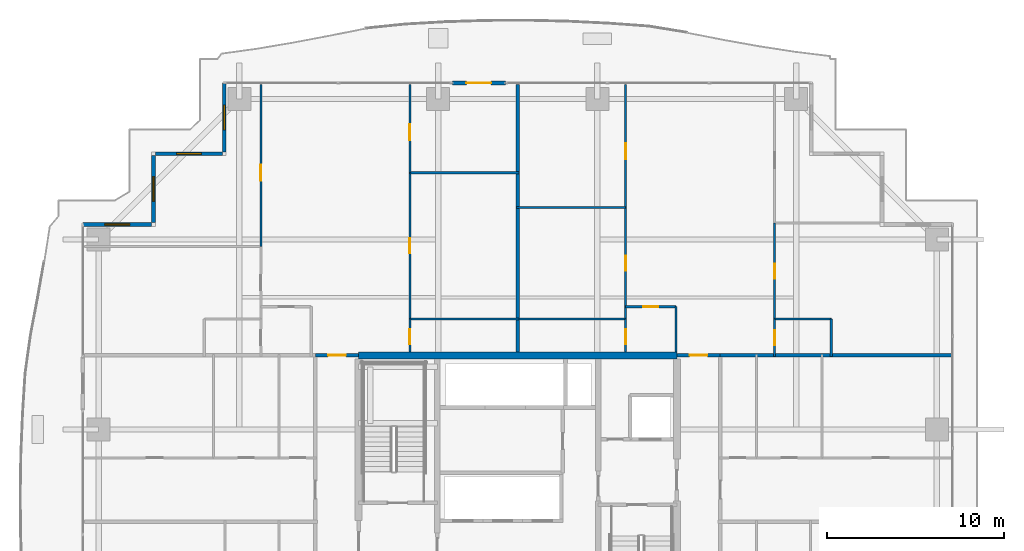
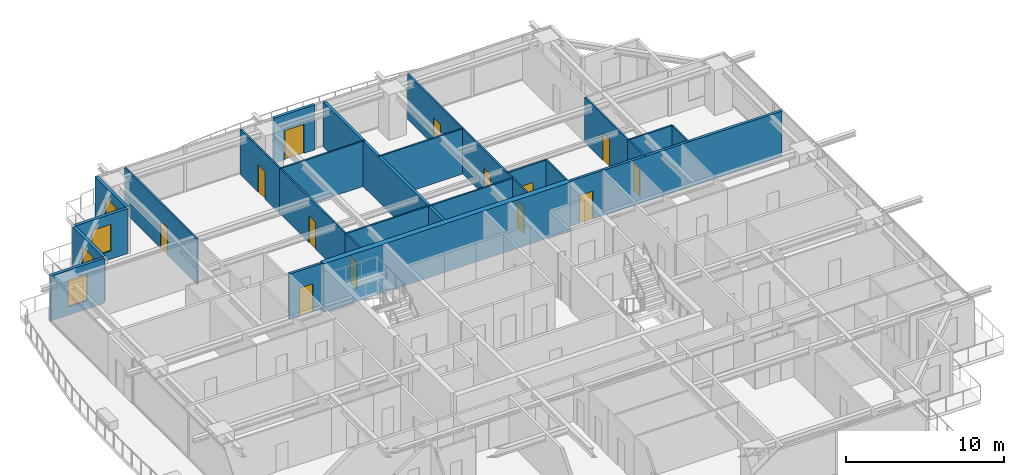
# One storey, part 30 of 37: 27 walls, 13 doors, 4 windows, 17 openings.
"""IFC4 building model written with IfcOpenShell, lengths in metres."""

from ifc_helpers import new_model, si_unit, direction, frame, frame_2d, origin, place, context, subcontext, project, spatial, rectangle, extrude, source, transform, mapped, material, layer, layer_set, type_object, element, fill, save


model = new_model("IFC4")

# Units and contexts
model_context = context("Model", 3, precision=1e-05, world=origin(), true_north=direction((0.0, 1.0)))
body_context = subcontext(model_context, "Body", "Model", "MODEL_VIEW")
ifc_project = project(units=[si_unit("LENGTHUNIT", "METRE"), si_unit("AREAUNIT", "SQUARE_METRE"), si_unit("VOLUMEUNIT", "CUBIC_METRE"), si_unit("PLANEANGLEUNIT", "RADIAN"), si_unit("MASSUNIT", "GRAM", prefix="KILO")], contexts=[model_context])

# Site, building, storey
site_placement = place(None, origin())
site = spatial("IfcSite", under=ifc_project, at=site_placement, CompositionType="ELEMENT")
building_placement = place(site_placement, origin())
building = spatial("IfcBuilding", under=site, at=building_placement, Name="Serunith Strait Residences", CompositionType="ELEMENT")
storey_placement = place(building_placement, frame((0.0, 0.0, 127.64990234375)))
storey = spatial("IfcBuildingStorey", under=building, at=storey_placement, Name="L31", CompositionType="ELEMENT", Elevation=127.64990234375)

# Wall, opening, door
ifc_material_1 = material(Name="Pale-Champagne Aluminium Insulated Panel", Category="aluminium")
ifc_layer_1 = layer(ifc_material_1, 0.219970703125, Name="Pale-Champagne Aluminium Insulated Panel")
ifc_layer_set_1 = layer_set([ifc_layer_1], Name="Pale-Champagne Aluminium Insulated Panel")
wall_type_1 = type_object("IfcWallType", Name="EW-ALUM-220", PredefinedType="ELEMENTEDWALL", material=ifc_layer_set_1)
wall_1_placement = place(storey_placement, frame((31.699951171875, 49.0, 0.0), z_axis=(0.0, 0.0, 1.0), x_axis=(-1.0, 0.0, 0.0)))
wall_1 = element("IfcWall", 1, at=wall_1_placement, inside=storey, type_object=wall_type_1, Name="L31 N Facade Pier Wall", PredefinedType="ELEMENTEDWALL", context=body_context, shape_type="SweptSolid", body=[
    extrude(rectangle(XDim=3.0, YDim=0.219970703125, at=frame_2d((1.5, 0.0))), origin(), (0.0, 0.0, 1.0), 3.47509765625),
])
opening_1_placement = place(wall_1_placement, frame((0.800048828125, 0.0, 0.0)))
opening_1 = element("IfcOpeningElement", 2, at=opening_1_placement, cuts=wall_1, Name="Opening ED-04", PredefinedType="OPENING", context=body_context, shape_type="SweptSolid", body=[
    extrude(rectangle(XDim=1.39990234375, YDim=2.25, at=frame_2d((0.699951171875, 1.125))), frame((0.0, 0.1201171875, 0.0), z_axis=(0.0, -1.0, 0.0), x_axis=(1.0, 0.0, 0.0)), (0.0, 0.0, 1.0), 0.239990234375),
])
ifc_material_2 = material(Name="Thermally-Broken Aluminium Sliding Balcony Door", Category="aluminium")
door_type_1 = type_object("IfcDoorType", Name="ED-BALC-1400", OperationType="NOTDEFINED", PredefinedType="DOOR", material=ifc_material_2)
shared_shape_1 = source(origin(), body_context, "Body", "SweptSolid", [
    extrude(rectangle(XDim=1.39990234375, YDim=2.25, at=frame_2d((0.699951171875, 1.125))), frame((0.0, 0.02490234375, 0.0), z_axis=(0.0, -1.0, 0.0), x_axis=(1.0, 0.0, 0.0)), (0.0, 0.0, 1.0), 0.050048828125),
])
door_1_placement = place(opening_1_placement, origin())
door_1 = element("IfcDoor", 3, at=door_1_placement, inside=storey, type_object=door_type_1, Name="L31 N Vertical-Forest Balcony Door", OperationType="SLIDING_TO_LEFT", OverallHeight=2.25, OverallWidth=1.39990234375, PredefinedType="DOOR", context=body_context, shape_type="MappedRepresentation", body=[
    mapped(shared_shape_1, transform((0.0, 0.0, 0.0), scale=1.0)),
])
fill(opening_1, door_1)

# Wall, opening, window
wall_2_placement = place(storey_placement, frame((15.800048828125, 49.0, 0.0), z_axis=(0.0, 0.0, 1.0), x_axis=(0.0, -1.0, 0.0)))
wall_2 = element("IfcWall", 4, at=wall_2_placement, inside=storey, type_object=wall_type_1, Name="L31 Girih Serrated Corner Wall 12", PredefinedType="ELEMENTEDWALL", context=body_context, shape_type="SweptSolid", body=[
    extrude(rectangle(XDim=3.889892578125, YDim=0.219970703125, at=frame_2d((1.94482421875, 0.0))), origin(), (0.0, 0.0, 1.0), 3.47509765625),
])
opening_2_placement = place(wall_2_placement, frame((1.2451171875, 0.0, 0.64990234375)))
opening_2 = element("IfcOpeningElement", 5, at=opening_2_placement, cuts=wall_2, Name="Opening W-03", PredefinedType="OPENING", context=body_context, shape_type="SweptSolid", body=[
    extrude(rectangle(XDim=1.39990234375, YDim=2.050048828125, at=frame_2d((0.699951171875, 1.02490234375))), frame((0.0, 0.1201171875, 0.0), z_axis=(0.0, -1.0, 0.0), x_axis=(1.0, 0.0, 0.0)), (0.0, 0.0, 1.0), 0.239990234375),
])
ifc_material_3 = material(Name="Ceramic-Fritted Operable Aluminium Window Glass", Category="aluminium")
window_type = type_object("IfcWindowType", Name="WIN-C3", PartitioningType="SINGLE_PANEL", PredefinedType="WINDOW", material=ifc_material_3)
shared_shape_2 = source(origin(), body_context, "Body", "SweptSolid", [
    extrude(rectangle(XDim=1.39990234375, YDim=2.050048828125, at=frame_2d((0.699951171875, 1.02490234375))), frame((0.0, 0.030029296875, 0.0), z_axis=(0.0, -1.0, 0.0), x_axis=(1.0, 0.0, 0.0)), (0.0, 0.0, 1.0), 0.06005859375),
])
window_1_placement = place(opening_2_placement, origin())
window_1 = element("IfcWindow", 6, at=window_1_placement, inside=storey, type_object=window_type, Name="L31 Corner Operable Fritted Window 12", OverallHeight=2.050048828125, OverallWidth=1.39990234375, PartitioningType="SINGLE_PANEL", PredefinedType="WINDOW", context=body_context, shape_type="MappedRepresentation", body=[
    mapped(shared_shape_2, transform((0.0, 0.0, 0.0), scale=1.0)),
])
fill(opening_2, window_1)

wall_3_placement = place(storey_placement, frame((15.68994140625, 45.0, 0.0), z_axis=(0.0, 0.0, 1.0), x_axis=(-1.0, 0.0, 0.0)))
wall_3 = element("IfcWall", 7, at=wall_3_placement, inside=storey, type_object=wall_type_1, Name="L31 Girih Serrated Corner Wall 13", PredefinedType="ELEMENTEDWALL", context=body_context, shape_type="SweptSolid", body=[
    extrude(rectangle(XDim=3.780029296875, YDim=0.219970703125, at=frame_2d((1.89013671875, 0.0))), origin(), (0.0, 0.0, 1.0), 3.47509765625),
])
opening_3_placement = place(wall_3_placement, frame((1.18994140625, 0.0, 0.64990234375)))
opening_3 = element("IfcOpeningElement", 8, at=opening_3_placement, cuts=wall_3, Name="Opening W-03", PredefinedType="OPENING", context=body_context, shape_type="SweptSolid", body=[
    extrude(rectangle(XDim=1.39990234375, YDim=2.050048828125, at=frame_2d((0.699951171875, 1.02490234375))), frame((0.0, 0.1201171875, 0.0), z_axis=(0.0, -1.0, 0.0), x_axis=(1.0, 0.0, 0.0)), (0.0, 0.0, 1.0), 0.239990234375),
])
window_2_placement = place(opening_3_placement, origin())
window_2 = element("IfcWindow", 9, at=window_2_placement, inside=storey, type_object=window_type, Name="L31 Corner Operable Fritted Window 13", OverallHeight=2.050048828125, OverallWidth=1.39990234375, PartitioningType="SINGLE_PANEL", PredefinedType="WINDOW", context=body_context, shape_type="MappedRepresentation", body=[
    mapped(shared_shape_2, transform((0.0, 0.0, 0.0), scale=1.0)),
])
fill(opening_3, window_2)

wall_4_placement = place(storey_placement, frame((11.800048828125, 44.889892578125, 0.0), z_axis=(0.0, 0.0, 1.0), x_axis=(0.0, -1.0, 0.0)))
wall_4 = element("IfcWall", 10, at=wall_4_placement, inside=storey, type_object=wall_type_1, Name="L31 Girih Serrated Corner Wall 14", PredefinedType="ELEMENTEDWALL", context=body_context, shape_type="SweptSolid", body=[
    extrude(rectangle(XDim=3.77978515625, YDim=0.219970703125, at=frame_2d((1.889892578125, 0.0))), origin(), (0.0, 0.0, 1.0), 3.47509765625),
])
opening_4_placement = place(wall_4_placement, frame((1.18994140625, 0.0, 0.64990234375)))
opening_4 = element("IfcOpeningElement", 11, at=opening_4_placement, cuts=wall_4, Name="Opening W-03", PredefinedType="OPENING", context=body_context, shape_type="SweptSolid", body=[
    extrude(rectangle(XDim=1.39990234375, YDim=2.050048828125, at=frame_2d((0.699951171875, 1.02490234375))), frame((0.0, 0.1201171875, 0.0), z_axis=(0.0, -1.0, 0.0), x_axis=(1.0, 0.0, 0.0)), (0.0, 0.0, 1.0), 0.239990234375),
])
window_3_placement = place(opening_4_placement, origin())
window_3 = element("IfcWindow", 12, at=window_3_placement, inside=storey, type_object=window_type, Name="L31 Corner Operable Fritted Window 14", OverallHeight=2.050048828125, OverallWidth=1.39990234375, PartitioningType="SINGLE_PANEL", PredefinedType="WINDOW", context=body_context, shape_type="MappedRepresentation", body=[
    mapped(shared_shape_2, transform((0.0, 0.0, 0.0), scale=1.0)),
])
fill(opening_4, window_3)

wall_5_placement = place(storey_placement, frame((11.68994140625, 41.0, 0.0), z_axis=(0.0, 0.0, 1.0), x_axis=(-1.0, 0.0, 0.0)))
wall_5 = element("IfcWall", 13, at=wall_5_placement, inside=storey, type_object=wall_type_1, Name="L31 Girih Serrated Corner Wall 15", PredefinedType="ELEMENTEDWALL", context=body_context, shape_type="SweptSolid", body=[
    extrude(rectangle(XDim=3.889892578125, YDim=0.219970703125, at=frame_2d((1.94482421875, 0.0))), origin(), (0.0, 0.0, 1.0), 3.47509765625),
])
opening_5_placement = place(wall_5_placement, frame((1.2451171875, 0.0, 0.64990234375)))
opening_5 = element("IfcOpeningElement", 14, at=opening_5_placement, cuts=wall_5, Name="Opening W-03", PredefinedType="OPENING", context=body_context, shape_type="SweptSolid", body=[
    extrude(rectangle(XDim=1.39990234375, YDim=2.050048828125, at=frame_2d((0.699951171875, 1.02490234375))), frame((0.0, 0.1201171875, 0.0), z_axis=(0.0, -1.0, 0.0), x_axis=(1.0, 0.0, 0.0)), (0.0, 0.0, 1.0), 0.239990234375),
])
window_4_placement = place(opening_5_placement, origin())
window_4 = element("IfcWindow", 15, at=window_4_placement, inside=storey, type_object=window_type, Name="L31 Corner Operable Fritted Window 15", OverallHeight=2.050048828125, OverallWidth=1.39990234375, PartitioningType="SINGLE_PANEL", PredefinedType="WINDOW", context=body_context, shape_type="MappedRepresentation", body=[
    mapped(shared_shape_2, transform((0.0, 0.0, 0.0), scale=1.0)),
])
fill(opening_5, window_4)

# Wall, opening, door
ifc_material_4 = material(Name="Fire-rated acoustic gypsum partition")
ifc_layer_2 = layer(ifc_material_4, 0.179931640625, Name="Fire-rated acoustic gypsum partition")
ifc_layer_set_2 = layer_set([ifc_layer_2], Name="Fire-rated acoustic gypsum partition")
wall_type_2 = type_object("IfcWallType", Name="IW-CORR-180", PredefinedType="PARTITIONING", material=ifc_layer_set_2)
wall_6_placement = place(storey_placement, frame((20.951904296875, 33.60009765625, 0.0), z_axis=(0.0, 0.0, 1.0), x_axis=(1.0, 0.0, 0.0)))
wall_6 = element("IfcWall", 16, at=wall_6_placement, inside=storey, type_object=wall_type_2, Name="L31 Partition Wall 027", PredefinedType="PARTITIONING", context=body_context, shape_type="SweptSolid", body=[
    extrude(rectangle(XDim=2.446044921875, YDim=0.179931640625, at=frame_2d((1.22314453125, 0.0))), origin(), (0.0, 0.0, 1.0), 3.489990234375),
])
opening_6_placement = place(wall_6_placement, frame((0.722900390625, 0.0, 0.0)))
opening_6 = element("IfcOpeningElement", 17, at=opening_6_placement, cuts=wall_6, Name="Opening D-APT1000", PredefinedType="OPENING", context=body_context, shape_type="SweptSolid", body=[
    extrude(rectangle(XDim=1.0, YDim=2.14990234375, at=frame_2d((0.5, 1.074951171875))), frame((0.0, 0.10009765625, 0.0), z_axis=(0.0, -1.0, 0.0), x_axis=(1.0, 0.0, 0.0)), (0.0, 0.0, 1.0), 0.199951171875),
])
ifc_material_5 = material(Name="Solid timber engineered fire door", Category="wood")
door_type_2 = type_object("IfcDoorType", Name="ID-APT-1000", OperationType="NOTDEFINED", PredefinedType="DOOR", material=ifc_material_5)
shared_shape_3 = source(origin(), body_context, "Body", "SweptSolid", [
    extrude(rectangle(XDim=1.0, YDim=2.14990234375, at=frame_2d((0.5, 1.074951171875))), frame((0.0, 0.02490234375, 0.0), z_axis=(0.0, -1.0, 0.0), x_axis=(1.0, 0.0, 0.0)), (0.0, 0.0, 1.0), 0.050048828125),
])
door_2_placement = place(opening_6_placement, origin())
door_2 = element("IfcDoor", 18, at=door_2_placement, inside=storey, type_object=door_type_2, Name="L31 Unit 04 Entrance Door", OperationType="SINGLE_SWING_LEFT", OverallHeight=2.14990234375, OverallWidth=1.0, PredefinedType="DOOR", context=body_context, shape_type="MappedRepresentation", body=[
    mapped(shared_shape_3, transform((0.0, 0.0, 0.0), scale=1.0)),
])
fill(opening_6, door_2)

wall_7_placement = place(storey_placement, frame((41.402099609375, 33.60009765625, 0.0), z_axis=(0.0, 0.0, 1.0), x_axis=(1.0, 0.0, 0.0)))
wall_7 = element("IfcWall", 19, at=wall_7_placement, inside=storey, type_object=wall_type_2, Name="L31 Partition Wall 028", PredefinedType="PARTITIONING", context=body_context, shape_type="SweptSolid", body=[
    extrude(rectangle(XDim=2.44580078125, YDim=0.179931640625, at=frame_2d((1.222900390625, 0.0))), origin(), (0.0, 0.0, 1.0), 3.489990234375),
])
opening_7_placement = place(wall_7_placement, frame((0.722900390625, 0.0, 0.0)))
opening_7 = element("IfcOpeningElement", 20, at=opening_7_placement, cuts=wall_7, Name="Opening D-APT1000", PredefinedType="OPENING", context=body_context, shape_type="SweptSolid", body=[
    extrude(rectangle(XDim=1.0, YDim=2.14990234375, at=frame_2d((0.5, 1.074951171875))), frame((0.0, 0.10009765625, 0.0), z_axis=(0.0, -1.0, 0.0), x_axis=(1.0, 0.0, 0.0)), (0.0, 0.0, 1.0), 0.199951171875),
])
door_3_placement = place(opening_7_placement, origin())
door_3 = element("IfcDoor", 21, at=door_3_placement, inside=storey, type_object=door_type_2, Name="L31 Unit 05 Entrance Door", OperationType="SINGLE_SWING_RIGHT", OverallHeight=2.14990234375, OverallWidth=1.0, PredefinedType="DOOR", context=body_context, shape_type="MappedRepresentation", body=[
    mapped(shared_shape_3, transform((0.0, 0.0, 0.0), scale=1.0)),
])
fill(opening_7, door_3)

ifc_material_6 = material(Name="Lightweight steel-stud gypsum partition", Category="steel")
ifc_layer_3 = layer(ifc_material_6, 0.1201171875, Name="Lightweight steel-stud gypsum partition")
ifc_layer_set_3 = layer_set([ifc_layer_3], Name="Lightweight steel-stud gypsum partition")
wall_type_3 = type_object("IfcWallType", Name="IW-PART-120", PredefinedType="PARTITIONING", material=ifc_layer_set_3)
wall_8_placement = place(storey_placement, frame((17.8701171875, 48.905029296875, 0.0), z_axis=(0.0, 0.0, 1.0), x_axis=(0.0, -1.0, 0.0)))
wall_8 = element("IfcWall", 22, at=wall_8_placement, inside=storey, type_object=wall_type_3, Name="L31 Partition Wall 068", PredefinedType="PARTITIONING", context=body_context, shape_type="SweptSolid", body=[
    extrude(rectangle(XDim=9.14013671875, YDim=0.1201171875, at=frame_2d((4.570068359375, 0.0))), origin(), (0.0, 0.0, 1.0), 3.489990234375),
])
opening_8_placement = place(wall_8_placement, frame((4.531982421875, 0.0, 0.0)))
opening_8 = element("IfcOpeningElement", 23, at=opening_8_placement, cuts=wall_8, Name="Opening D-RM900", PredefinedType="OPENING", context=body_context, shape_type="SweptSolid", body=[
    extrude(rectangle(XDim=0.89990234375, YDim=2.10009765625, at=frame_2d((0.449951171875, 1.050048828125))), frame((0.0, 0.070068359375, 0.0), z_axis=(0.0, -1.0, 0.0), x_axis=(1.0, 0.0, 0.0)), (0.0, 0.0, 1.0), 0.14013671875),
])
ifc_material_7 = material(Name="Engineered timber flush bedroom door", Category="wood")
door_type_3 = type_object("IfcDoorType", Name="ID-ROOM-900", OperationType="NOTDEFINED", PredefinedType="DOOR", material=ifc_material_7)
shared_shape_4 = source(origin(), body_context, "Body", "SweptSolid", [
    extrude(rectangle(XDim=0.89990234375, YDim=2.10009765625, at=frame_2d((0.449951171875, 1.050048828125))), frame((0.0, 0.02490234375, 0.0), z_axis=(0.0, -1.0, 0.0), x_axis=(1.0, 0.0, 0.0)), (0.0, 0.0, 1.0), 0.050048828125),
])
door_4_placement = place(opening_8_placement, origin())
door_4 = element("IfcDoor", 24, at=door_4_placement, inside=storey, type_object=door_type_3, Name="L31 Master Bedroom 1 3104 Door", OperationType="SINGLE_SWING_RIGHT", OverallHeight=2.10009765625, OverallWidth=0.89990234375, PredefinedType="DOOR", context=body_context, shape_type="MappedRepresentation", body=[
    mapped(shared_shape_4, transform((0.0, 0.0, 0.0), scale=1.0)),
])
fill(opening_8, door_4)

wall_9_placement = place(storey_placement, frame((26.300048828125, 48.905029296875, 0.0), z_axis=(0.0, 0.0, 1.0), x_axis=(0.0, -1.0, 0.0)))
wall_9 = element("IfcWall", 25, at=wall_9_placement, inside=storey, type_object=wall_type_3, Name="L31 Partition Wall 074", PredefinedType="PARTITIONING", context=body_context, shape_type="SweptSolid", body=[
    extrude(rectangle(XDim=4.97607421875, YDim=0.1201171875, at=frame_2d((2.488037109375, 0.0))), origin(), (0.0, 0.0, 1.0), 3.489990234375),
])
opening_9_placement = place(wall_9_placement, frame((2.241943359375, 0.0, 0.0)))
opening_9 = element("IfcOpeningElement", 26, at=opening_9_placement, cuts=wall_9, Name="Opening D-RM900", PredefinedType="OPENING", context=body_context, shape_type="SweptSolid", body=[
    extrude(rectangle(XDim=0.89990234375, YDim=2.10009765625, at=frame_2d((0.449951171875, 1.050048828125))), frame((0.0, 0.070068359375, 0.0), z_axis=(0.0, -1.0, 0.0), x_axis=(1.0, 0.0, 0.0)), (0.0, 0.0, 1.0), 0.14013671875),
])
door_5_placement = place(opening_9_placement, origin())
door_5 = element("IfcDoor", 27, at=door_5_placement, inside=storey, type_object=door_type_3, Name="L31 Bedroom 2 3104 Door", OperationType="SINGLE_SWING_LEFT", OverallHeight=2.10009765625, OverallWidth=0.89990234375, PredefinedType="DOOR", context=body_context, shape_type="MappedRepresentation", body=[
    mapped(shared_shape_4, transform((0.0, 0.0, 0.0), scale=1.0)),
])
fill(opening_9, door_5)

# Walls
for number, where, z_axis, x_axis, name in (
    (28, (26.300048828125, 43.928955078125, 0.0), (0.0, 0.0, 1.0), (1.0, 0.0, 0.0), "L31 Partition Wall 075"),
    (29, (26.300048828125, 35.64990234375, 0.0), (0.0, 0.0, 1.0), (1.0, 0.0, 0.0), "L31 Partition Wall 076"),
):
    element("IfcWall", number, at=place(storey_placement, frame(where, z_axis=z_axis, x_axis=x_axis)), inside=storey, type_object=wall_type_3, Name=name, PredefinedType="PARTITIONING", context=body_context, shape_type="SweptSolid", body=[
        extrude(rectangle(XDim=6.159912109375, YDim=0.1201171875, at=frame_2d((3.080078125, 0.0))), origin(), (0.0, 0.0, 1.0), 3.489990234375),
    ])

# Wall, opening, door
wall_10_placement = place(storey_placement, frame((26.300048828125, 43.927001953125, 0.0), z_axis=(0.0, 0.0, 1.0), x_axis=(0.0, -1.0, 0.0)))
wall_10 = element("IfcWall", 30, at=wall_10_placement, inside=storey, type_object=wall_type_3, Name="L31 Partition Wall 077", PredefinedType="PARTITIONING", context=body_context, shape_type="SweptSolid", body=[
    extrude(rectangle(XDim=8.277099609375, YDim=0.1201171875, at=frame_2d((4.138671875, 0.0))), origin(), (0.0, 0.0, 1.0), 3.489990234375),
])
opening_10_placement = place(wall_10_placement, frame((3.714111328125, 0.0, 0.0)))
opening_10 = element("IfcOpeningElement", 31, at=opening_10_placement, cuts=wall_10, Name="Opening D-RM850", PredefinedType="OPENING", context=body_context, shape_type="SweptSolid", body=[
    extrude(rectangle(XDim=0.85009765625, YDim=2.10009765625, at=frame_2d((0.425048828125, 1.050048828125))), frame((0.0, 0.070068359375, 0.0), z_axis=(0.0, -1.0, 0.0), x_axis=(1.0, 0.0, 0.0)), (0.0, 0.0, 1.0), 0.14013671875),
])
ifc_material_8 = material(Name="Engineered timber flush study and kitchen door", Category="wood")
door_type_4 = type_object("IfcDoorType", Name="ID-ROOM-850", OperationType="NOTDEFINED", PredefinedType="DOOR", material=ifc_material_8)
shared_shape_5 = source(origin(), body_context, "Body", "SweptSolid", [
    extrude(rectangle(XDim=0.85009765625, YDim=2.10009765625, at=frame_2d((0.425048828125, 1.050048828125))), frame((0.0, 0.02490234375, 0.0), z_axis=(0.0, -1.0, 0.0), x_axis=(1.0, 0.0, 0.0)), (0.0, 0.0, 1.0), 0.050048828125),
])
door_6_placement = place(opening_10_placement, origin())
door_6 = element("IfcDoor", 32, at=door_6_placement, inside=storey, type_object=door_type_4, Name="L31 Walk-in Wardrobe 3104 Door", OperationType="SINGLE_SWING_RIGHT", OverallHeight=2.10009765625, OverallWidth=0.85009765625, PredefinedType="DOOR", context=body_context, shape_type="MappedRepresentation", body=[
    mapped(shared_shape_5, transform((0.0, 0.0, 0.0), scale=1.0)),
])
fill(opening_10, door_6)

wall_11_placement = place(storey_placement, frame((26.300048828125, 35.64794921875, 0.0), z_axis=(0.0, 0.0, 1.0), x_axis=(0.0, -1.0, 0.0)))
wall_11 = element("IfcWall", 33, at=wall_11_placement, inside=storey, type_object=wall_type_3, Name="L31 Partition Wall 078", PredefinedType="PARTITIONING", context=body_context, shape_type="SweptSolid", body=[
    extrude(rectangle(XDim=1.847900390625, YDim=0.1201171875, at=frame_2d((0.923828125, 0.0))), origin(), (0.0, 0.0, 1.0), 3.489990234375),
])
opening_11_placement = place(wall_11_placement, frame((0.569091796875, 0.0, 0.0)))
opening_11 = element("IfcOpeningElement", 34, at=opening_11_placement, cuts=wall_11, Name="Opening D-BTH850", PredefinedType="OPENING", context=body_context, shape_type="SweptSolid", body=[
    extrude(rectangle(XDim=0.85009765625, YDim=2.10009765625, at=frame_2d((0.425048828125, 1.050048828125))), frame((0.0, 0.070068359375, 0.0), z_axis=(0.0, -1.0, 0.0), x_axis=(1.0, 0.0, 0.0)), (0.0, 0.0, 1.0), 0.14013671875),
])
ifc_material_9 = material(Name="Moisture-resistant timber bathroom door", Category="wood")
door_type_5 = type_object("IfcDoorType", Name="ID-BATH-850", OperationType="NOTDEFINED", PredefinedType="DOOR", material=ifc_material_9)
door_7_placement = place(opening_11_placement, origin())
door_7 = element("IfcDoor", 35, at=door_7_placement, inside=storey, type_object=door_type_5, Name="L31 Bathroom 3104 Door", OperationType="SINGLE_SWING_LEFT", OverallHeight=2.10009765625, OverallWidth=0.85009765625, PredefinedType="DOOR", context=body_context, shape_type="MappedRepresentation", body=[
    mapped(shared_shape_5, transform((0.0, 0.0, 0.0), scale=1.0)),
])
fill(opening_11, door_7)

wall_12_placement = place(storey_placement, frame((38.5, 36.35009765625, 0.0), z_axis=(0.0, 0.0, 1.0), x_axis=(1.0, 0.0, 0.0)))
wall_12 = element("IfcWall", 36, at=wall_12_placement, inside=storey, type_object=wall_type_3, Name="L31 Partition Wall 079", PredefinedType="PARTITIONING", context=body_context, shape_type="SweptSolid", body=[
    extrude(rectangle(XDim=2.85009765625, YDim=0.1201171875, at=frame_2d((1.425048828125, 0.0))), origin(), (0.0, 0.0, 1.0), 3.489990234375),
])
opening_12_placement = place(wall_12_placement, frame((1.0, 0.0, 0.0)))
opening_12 = element("IfcOpeningElement", 37, at=opening_12_placement, cuts=wall_12, Name="Opening D-RM850", PredefinedType="OPENING", context=body_context, shape_type="SweptSolid", body=[
    extrude(rectangle(XDim=0.85009765625, YDim=2.10009765625, at=frame_2d((0.425048828125, 1.050048828125))), frame((0.0, 0.070068359375, 0.0), z_axis=(0.0, -1.0, 0.0), x_axis=(1.0, 0.0, 0.0)), (0.0, 0.0, 1.0), 0.14013671875),
])
door_8_placement = place(opening_12_placement, origin())
door_8 = element("IfcDoor", 38, at=door_8_placement, inside=storey, type_object=door_type_4, Name="L31 Kitchen 3105 Door", OperationType="SINGLE_SWING_RIGHT", OverallHeight=2.10009765625, OverallWidth=0.85009765625, PredefinedType="DOOR", context=body_context, shape_type="MappedRepresentation", body=[
    mapped(shared_shape_5, transform((0.0, 0.0, 0.0), scale=1.0)),
])
fill(opening_12, door_8)

# Wall
wall_13_placement = place(storey_placement, frame((41.35009765625, 36.35009765625, 0.0), z_axis=(0.0, 0.0, 1.0), x_axis=(0.0, -1.0, 0.0)))
element("IfcWall", 39, at=wall_13_placement, inside=storey, type_object=wall_type_3, Name="L31 Partition Wall 080", PredefinedType="PARTITIONING", context=body_context, shape_type="SweptSolid", body=[
    extrude(rectangle(XDim=2.550048828125, YDim=0.1201171875, at=frame_2d((1.27490234375, 0.0))), origin(), (0.0, 0.0, 1.0), 3.489990234375),
])

# Wall, opening, door
wall_14_placement = place(storey_placement, frame((38.5, 48.905029296875, 0.0), z_axis=(0.0, 0.0, 1.0), x_axis=(0.0, -1.0, 0.0)))
wall_14 = element("IfcWall", 40, at=wall_14_placement, inside=storey, type_object=wall_type_3, Name="L31 Partition Wall 081", PredefinedType="PARTITIONING", context=body_context, shape_type="SweptSolid", body=[
    extrude(rectangle(XDim=6.93994140625, YDim=0.1201171875, at=frame_2d((3.469970703125, 0.0))), origin(), (0.0, 0.0, 1.0), 3.489990234375),
])
opening_13_placement = place(wall_14_placement, frame((3.322021484375, 0.0, 0.0)))
opening_13 = element("IfcOpeningElement", 41, at=opening_13_placement, cuts=wall_14, Name="Opening D-RM900", PredefinedType="OPENING", context=body_context, shape_type="SweptSolid", body=[
    extrude(rectangle(XDim=0.89990234375, YDim=2.10009765625, at=frame_2d((0.449951171875, 1.050048828125))), frame((0.0, 0.070068359375, 0.0), z_axis=(0.0, -1.0, 0.0), x_axis=(1.0, 0.0, 0.0)), (0.0, 0.0, 1.0), 0.14013671875),
])
door_9_placement = place(opening_13_placement, origin())
door_9 = element("IfcDoor", 42, at=door_9_placement, inside=storey, type_object=door_type_3, Name="L31 Master Bedroom 1 3105 Door", OperationType="SINGLE_SWING_LEFT", OverallHeight=2.10009765625, OverallWidth=0.89990234375, PredefinedType="DOOR", context=body_context, shape_type="MappedRepresentation", body=[
    mapped(shared_shape_4, transform((0.0, 0.0, 0.0), scale=1.0)),
])
fill(opening_13, door_9)

# Walls
wall_15_placement = place(storey_placement, frame((32.340087890625, 41.965087890625, 0.0), z_axis=(0.0, 0.0, 1.0), x_axis=(1.0, 0.0, 0.0)))
element("IfcWall", 43, at=wall_15_placement, inside=storey, type_object=wall_type_3, Name="L31 Partition Wall 082", PredefinedType="PARTITIONING", context=body_context, shape_type="SweptSolid", body=[
    extrude(rectangle(XDim=6.159912109375, YDim=0.1201171875, at=frame_2d((3.080078125, 0.0))), origin(), (0.0, 0.0, 1.0), 3.489990234375),
])
wall_16_placement = place(storey_placement, frame((32.4619140625, 35.64990234375, 0.0), z_axis=(0.0, 0.0, 1.0), x_axis=(1.0, 0.0, 0.0)))
element("IfcWall", 44, at=wall_16_placement, inside=storey, type_object=wall_type_3, Name="L31 Partition Wall 083", PredefinedType="PARTITIONING", context=body_context, shape_type="SweptSolid", body=[
    extrude(rectangle(XDim=6.0380859375, YDim=0.1201171875, at=frame_2d((3.01904296875, 0.0))), origin(), (0.0, 0.0, 1.0), 3.489990234375),
])

# Wall, opening, door
wall_17_placement = place(storey_placement, frame((38.5, 41.962890625, 0.0), z_axis=(0.0, 0.0, 1.0), x_axis=(0.0, -1.0, 0.0)))
wall_17 = element("IfcWall", 45, at=wall_17_placement, inside=storey, type_object=wall_type_3, Name="L31 Partition Wall 084", PredefinedType="PARTITIONING", context=body_context, shape_type="SweptSolid", body=[
    extrude(rectangle(XDim=6.31298828125, YDim=0.1201171875, at=frame_2d((3.156494140625, 0.0))), origin(), (0.0, 0.0, 1.0), 3.489990234375),
])
opening_14_placement = place(wall_17_placement, frame((2.73193359375, 0.0, 0.0)))
opening_14 = element("IfcOpeningElement", 46, at=opening_14_placement, cuts=wall_17, Name="Opening D-RM850", PredefinedType="OPENING", context=body_context, shape_type="SweptSolid", body=[
    extrude(rectangle(XDim=0.85009765625, YDim=2.10009765625, at=frame_2d((0.425048828125, 1.050048828125))), frame((0.0, 0.070068359375, 0.0), z_axis=(0.0, -1.0, 0.0), x_axis=(1.0, 0.0, 0.0)), (0.0, 0.0, 1.0), 0.14013671875),
])
door_10_placement = place(opening_14_placement, origin())
door_10 = element("IfcDoor", 47, at=door_10_placement, inside=storey, type_object=door_type_4, Name="L31 Walk-in Wardrobe 3105 Door", OperationType="SINGLE_SWING_RIGHT", OverallHeight=2.10009765625, OverallWidth=0.85009765625, PredefinedType="DOOR", context=body_context, shape_type="MappedRepresentation", body=[
    mapped(shared_shape_5, transform((0.0, 0.0, 0.0), scale=1.0)),
])
fill(opening_14, door_10)

wall_18_placement = place(storey_placement, frame((38.5, 35.64794921875, 0.0), z_axis=(0.0, 0.0, 1.0), x_axis=(0.0, -1.0, 0.0)))
wall_18 = element("IfcWall", 48, at=wall_18_placement, inside=storey, type_object=wall_type_3, Name="L31 Partition Wall 085", PredefinedType="PARTITIONING", context=body_context, shape_type="SweptSolid", body=[
    extrude(rectangle(XDim=1.847900390625, YDim=0.1201171875, at=frame_2d((0.923828125, 0.0))), origin(), (0.0, 0.0, 1.0), 3.489990234375),
])
opening_15_placement = place(wall_18_placement, frame((0.569091796875, 0.0, 0.0)))
opening_15 = element("IfcOpeningElement", 49, at=opening_15_placement, cuts=wall_18, Name="Opening D-BTH850", PredefinedType="OPENING", context=body_context, shape_type="SweptSolid", body=[
    extrude(rectangle(XDim=0.85009765625, YDim=2.10009765625, at=frame_2d((0.425048828125, 1.050048828125))), frame((0.0, 0.070068359375, 0.0), z_axis=(0.0, -1.0, 0.0), x_axis=(1.0, 0.0, 0.0)), (0.0, 0.0, 1.0), 0.14013671875),
])
door_11_placement = place(opening_15_placement, origin())
door_11 = element("IfcDoor", 50, at=door_11_placement, inside=storey, type_object=door_type_5, Name="L31 Bathroom 3105 Door", OperationType="SINGLE_SWING_LEFT", OverallHeight=2.10009765625, OverallWidth=0.85009765625, PredefinedType="DOOR", context=body_context, shape_type="MappedRepresentation", body=[
    mapped(shared_shape_5, transform((0.0, 0.0, 0.0), scale=1.0)),
])
fill(opening_15, door_11)

# Walls
wall_19_placement = place(storey_placement, frame((46.929931640625, 35.64990234375, 0.0), z_axis=(0.0, 0.0, 1.0), x_axis=(1.0, 0.0, 0.0)))
element("IfcWall", 51, at=wall_19_placement, inside=storey, type_object=wall_type_3, Name="L31 Partition Wall 088", PredefinedType="PARTITIONING", context=body_context, shape_type="SweptSolid", body=[
    extrude(rectangle(XDim=3.199951171875, YDim=0.1201171875, at=frame_2d((1.60009765625, 0.0))), origin(), (0.0, 0.0, 1.0), 3.489990234375),
])
wall_20_placement = place(storey_placement, frame((50.1298828125, 35.64990234375, 0.0), z_axis=(0.0, 0.0, 1.0), x_axis=(0.0, -1.0, 0.0)))
element("IfcWall", 52, at=wall_20_placement, inside=storey, type_object=wall_type_3, Name="L31 Partition Wall 089", PredefinedType="PARTITIONING", context=body_context, shape_type="SweptSolid", body=[
    extrude(rectangle(XDim=2.10986328125, YDim=0.1201171875, at=frame_2d((1.054931640625, 0.0))), origin(), (0.0, 0.0, 1.0), 3.489990234375),
])

# Wall, opening, door
wall_21_placement = place(storey_placement, frame((46.929931640625, 41.072998046875, 0.0), z_axis=(0.0, 0.0, 1.0), x_axis=(0.0, -1.0, 0.0)))
wall_21 = element("IfcWall", 53, at=wall_21_placement, inside=storey, type_object=wall_type_3, Name="L31 Partition Wall 090", PredefinedType="PARTITIONING", context=body_context, shape_type="SweptSolid", body=[
    extrude(rectangle(XDim=5.423095703125, YDim=0.1201171875, at=frame_2d((2.71142578125, 0.0))), origin(), (0.0, 0.0, 1.0), 3.489990234375),
])
opening_16_placement = place(wall_21_placement, frame((2.287109375, 0.0, 0.0)))
opening_16 = element("IfcOpeningElement", 54, at=opening_16_placement, cuts=wall_21, Name="Opening D-RM850", PredefinedType="OPENING", context=body_context, shape_type="SweptSolid", body=[
    extrude(rectangle(XDim=0.85009765625, YDim=2.10009765625, at=frame_2d((0.425048828125, 1.050048828125))), frame((0.0, 0.070068359375, 0.0), z_axis=(0.0, -1.0, 0.0), x_axis=(1.0, 0.0, 0.0)), (0.0, 0.0, 1.0), 0.14013671875),
])
door_12_placement = place(opening_16_placement, origin())
door_12 = element("IfcDoor", 55, at=door_12_placement, inside=storey, type_object=door_type_4, Name="L31 Walk-in Wardrobe 3105 Door", OperationType="SINGLE_SWING_LEFT", OverallHeight=2.10009765625, OverallWidth=0.85009765625, PredefinedType="DOOR", context=body_context, shape_type="MappedRepresentation", body=[
    mapped(shared_shape_5, transform((0.0, 0.0, 0.0), scale=1.0)),
])
fill(opening_16, door_12)

wall_22_placement = place(storey_placement, frame((46.929931640625, 35.64794921875, 0.0), z_axis=(0.0, 0.0, 1.0), x_axis=(0.0, -1.0, 0.0)))
wall_22 = element("IfcWall", 56, at=wall_22_placement, inside=storey, type_object=wall_type_3, Name="L31 Partition Wall 091", PredefinedType="PARTITIONING", context=body_context, shape_type="SweptSolid", body=[
    extrude(rectangle(XDim=2.10791015625, YDim=0.1201171875, at=frame_2d((1.053955078125, 0.0))), origin(), (0.0, 0.0, 1.0), 3.489990234375),
])
opening_17_placement = place(wall_22_placement, frame((0.62890625, 0.0, 0.0)))
opening_17 = element("IfcOpeningElement", 57, at=opening_17_placement, cuts=wall_22, Name="Opening D-BTH850", PredefinedType="OPENING", context=body_context, shape_type="SweptSolid", body=[
    extrude(rectangle(XDim=0.85009765625, YDim=2.10009765625, at=frame_2d((0.425048828125, 1.050048828125))), frame((0.0, 0.070068359375, 0.0), z_axis=(0.0, -1.0, 0.0), x_axis=(1.0, 0.0, 0.0)), (0.0, 0.0, 1.0), 0.14013671875),
])
door_13_placement = place(opening_17_placement, origin())
door_13 = element("IfcDoor", 58, at=door_13_placement, inside=storey, type_object=door_type_5, Name="L31 Bathroom 3105 Door", OperationType="SINGLE_SWING_RIGHT", OverallHeight=2.10009765625, OverallWidth=0.85009765625, PredefinedType="DOOR", context=body_context, shape_type="MappedRepresentation", body=[
    mapped(shared_shape_5, transform((0.0, 0.0, 0.0), scale=1.0)),
])
fill(opening_17, door_13)

# Walls
ifc_material_10 = material(Name="Twin-stud acoustic gypsum board partition")
ifc_layer_4 = layer(ifc_material_10, 0.199951171875, Name="Twin-stud acoustic gypsum board partition")
ifc_layer_set_4 = layer_set([ifc_layer_4], Name="Twin-stud acoustic gypsum board partition")
wall_type_4 = type_object("IfcWallType", Name="IW-PARTY-200", PredefinedType="PARTITIONING", material=ifc_layer_set_4)
wall_23_placement = place(storey_placement, frame((32.39990234375, 33.800048828125, 0.0), z_axis=(0.0, 0.0, 1.0), x_axis=(0.0, 1.0, 0.0)))
element("IfcWall", 59, at=wall_23_placement, inside=storey, type_object=wall_type_4, Name="L31 Partition Wall 017", PredefinedType="PARTITIONING", context=body_context, shape_type="SweptSolid", body=[
    extrude(rectangle(XDim=15.117919921875, YDim=0.199951171875, at=frame_2d((7.55908203125, 0.0))), origin(), (0.0, 0.0, 1.0), 3.489990234375),
])
wall_24_placement = place(storey_placement, frame((43.85009765625, 33.60009765625, 0.0), z_axis=(0.0, 0.0, 1.0), x_axis=(1.0, 0.0, 0.0)))
element("IfcWall", 60, at=wall_24_placement, inside=storey, type_object=wall_type_4, Name="L31 Partition Wall 023", PredefinedType="PARTITIONING", context=body_context, shape_type="SweptSolid", body=[
    extrude(rectangle(XDim=13.06787109375, YDim=0.199951171875, at=frame_2d((6.533935546875, 0.0))), origin(), (0.0, 0.0, 1.0), 3.489990234375),
])
ifc_material_11 = material(Name="Concrete C70/85", Category="concrete")
ifc_layer_5 = layer(ifc_material_11, 0.39990234375, Name="Concrete C70/85")
ifc_layer_set_5 = layer_set([ifc_layer_5], Name="Concrete C70/85")
wall_type_5 = type_object("IfcWallType", Name="SW-400-C70", PredefinedType="SHEAR", material=ifc_layer_set_5)
wall_25_placement = place(storey_placement, frame((41.39990234375, 33.60009765625, -0.260009765625), z_axis=(0.0, 0.0, 1.0), x_axis=(-1.0, 0.0, 0.0)))
element("IfcWall", 61, at=wall_25_placement, inside=storey, type_object=wall_type_5, Name="L31 Core North Shear Wall", PredefinedType="SHEAR", context=body_context, shape_type="SweptSolid", body=[
    extrude(rectangle(XDim=18.0, YDim=0.39990234375, at=frame_2d((9.0, 0.0))), origin(), (0.0, 0.0, 1.0), 3.748046875),
])

save(model, "model.ifc")
